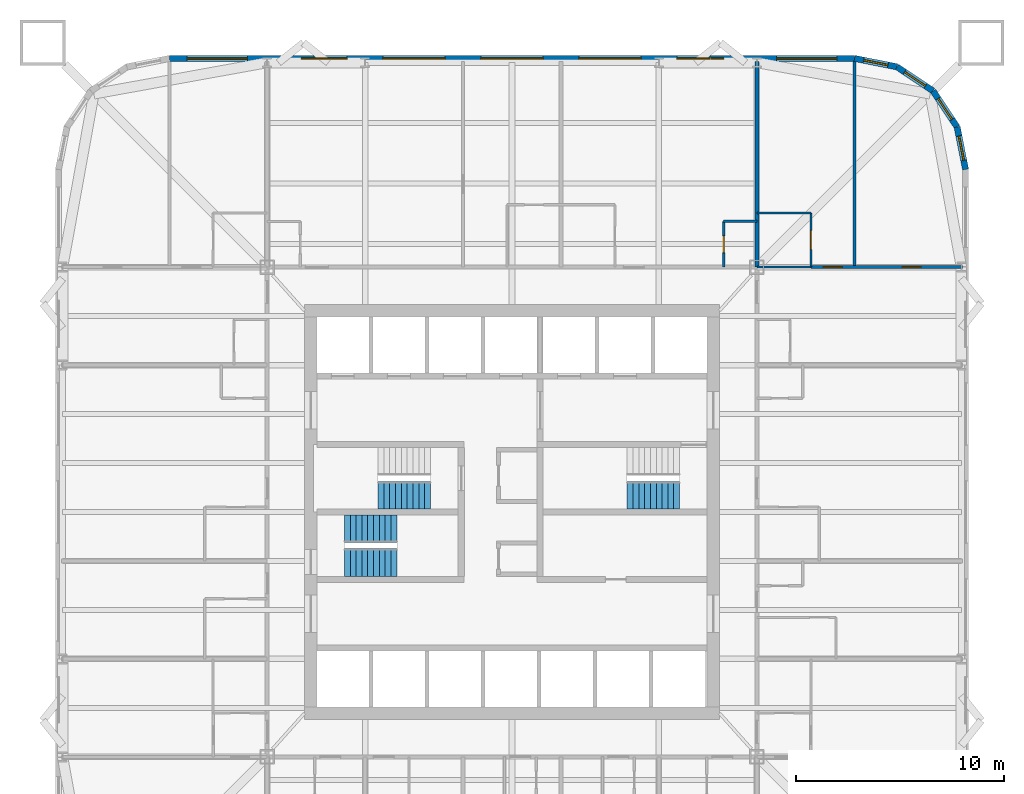
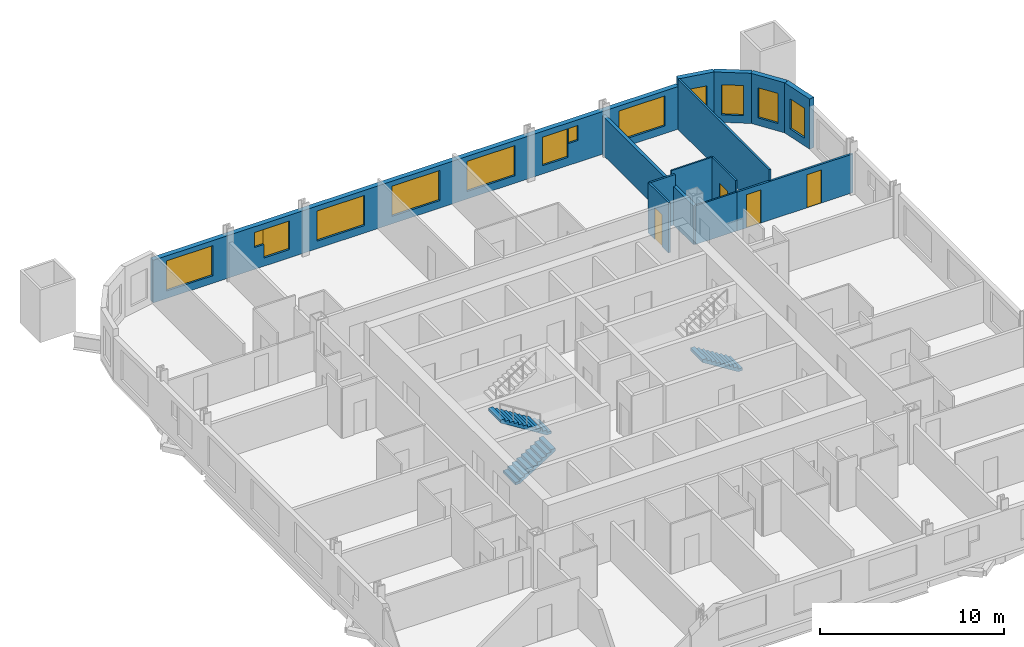
# One storey, part 8 of 10: 13 walls, 13 windows, 4 doors, 4 stair flights, 17 openings, 3 elements without a shape of their own.
"""IFC4 building model written with IfcOpenShell, lengths in metres."""

from ifc_helpers import new_model, si_unit, direction, frame, frame_2d, origin, place, context, subcontext, project, spatial, polyline, rectangle, outline, extrude, material, layer, layer_set, type_object, element, fill, aggregate, save


model = new_model("IFC4")

# Units and contexts
model_context = context("Model", 3, precision=1e-05, world=origin(), true_north=direction((0.0, 1.0)))
body_context = subcontext(model_context, "Body", "Model", "MODEL_VIEW")
ifc_project = project(units=[si_unit("LENGTHUNIT", "METRE"), si_unit("AREAUNIT", "SQUARE_METRE"), si_unit("VOLUMEUNIT", "CUBIC_METRE"), si_unit("PLANEANGLEUNIT", "RADIAN"), si_unit("MASSUNIT", "GRAM", prefix="KILO")], contexts=[model_context])

# Site, building, storey
site_placement = place(None, origin())
site = spatial("IfcSite", under=ifc_project, at=site_placement, CompositionType="ELEMENT")
building_placement = place(site_placement, origin())
building = spatial("IfcBuilding", under=site, at=building_placement, Name="Turquesa Mirador Hotel Tower", CompositionType="ELEMENT")
storey_placement = place(building_placement, frame((0.0, 0.0, 70.5)))
storey = spatial("IfcBuildingStorey", under=building, at=storey_placement, Name="L18", CompositionType="ELEMENT", Elevation=70.5)

# Walls
ifc_material_1 = material(Name="Gypsum board on steel studs", Category="steel")
ifc_layer_1 = layer(ifc_material_1, 0.10009765625)
ifc_layer_set_1 = layer_set([ifc_layer_1], Name="BATHROOM WALL 100")
wall_type_1 = type_object("IfcWallType", Name="BATHROOM WALL 100", PredefinedType="PARTITIONING", material=ifc_layer_set_1)
wall_1_placement = place(storey_placement, frame((66.800048828125, 56.800048828125, 0.0), z_axis=(0.0, 0.0, 1.0), x_axis=(1.0, 0.0, 0.0)))
element("IfcWall", 1, at=wall_1_placement, inside=storey, type_object=wall_type_1, Name="Partition L18 025", PredefinedType="PARTITIONING", context=body_context, shape_type="SweptSolid", body=[
    extrude(rectangle(XDim=2.599853515625, YDim=0.10009765625, at=frame_2d((1.2998046875, 0.0))), origin(), (0.0, 0.0, 1.0), 2.572998046875),
])
wall_2_placement = place(storey_placement, frame((66.800048828125, 59.39990234375, 0.0), z_axis=(0.0, 0.0, 1.0), x_axis=(1.0, 0.0, 0.0)))
element("IfcWall", 2, at=wall_2_placement, inside=storey, type_object=wall_type_1, Name="Partition L18 032", PredefinedType="PARTITIONING", context=body_context, shape_type="SweptSolid", body=[
    extrude(rectangle(XDim=2.599853515625, YDim=0.10009765625, at=frame_2d((1.2998046875, 0.0))), origin(), (0.0, 0.0, 1.0), 3.330078125),
])

# Wall, opening, door
wall_3_placement = place(storey_placement, frame((69.39990234375, 56.800048828125, 0.0), z_axis=(0.0, 0.0, 1.0), x_axis=(0.0, 1.0, 0.0)))
wall_3 = element("IfcWall", 3, at=wall_3_placement, inside=storey, type_object=wall_type_1, Name="Partition L18 068", PredefinedType="PARTITIONING", context=body_context, shape_type="SweptSolid", body=[
    extrude(rectangle(XDim=2.599853515625, YDim=0.10009765625, at=frame_2d((1.2998046875, 0.0))), origin(), (0.0, 0.0, 1.0), 3.330078125),
])
opening_1_placement = place(wall_3_placement, frame((0.85009765625, 0.0, 0.0)))
opening_1 = element("IfcOpeningElement", 4, at=opening_1_placement, cuts=wall_3, Name="Opening D02", PredefinedType="OPENING", context=body_context, shape_type="SweptSolid", body=[
    extrude(rectangle(XDim=0.89990234375, YDim=2.10009765625, at=frame_2d((0.449951171875, 1.050048828125))), frame((0.0, 0.06005859375, 0.0), z_axis=(0.0, -1.0, 0.0), x_axis=(1.0, 0.0, 0.0)), (0.0, 0.0, 1.0), 0.1201171875),
])
ifc_material_2 = material(Name="Timber veneered door", Category="wood")
door_type_1 = type_object("IfcDoorType", Name="DOOR 900X2100 EN-SUITE", OperationType="SINGLE_SWING_RIGHT", PredefinedType="DOOR", material=ifc_material_2)
door_1_placement = place(opening_1_placement, origin())
door_1 = element("IfcDoor", 5, at=door_1_placement, inside=storey, type_object=door_type_1, Name="Door 1812B", OperationType="SINGLE_SWING_RIGHT", OverallHeight=2.10009765625, OverallWidth=0.89990234375, PredefinedType="DOOR", context=body_context, shape_type="SweptSolid", body=[
    extrude(rectangle(XDim=0.89990234375, YDim=2.10009765625, at=frame_2d((0.449951171875, 1.050048828125))), frame((0.0, 0.02490234375, 0.0), z_axis=(0.0, -1.0, 0.0), x_axis=(1.0, 0.0, 0.0)), (0.0, 0.0, 1.0), 0.050048828125),
])
fill(opening_1, door_1)

# Wall, opening, window
ifc_material_3 = material(Name="Limestone cladding on concrete block", Category="masonry")
ifc_layer_2 = layer(ifc_material_3, 0.300048828125)
ifc_layer_set_2 = layer_set([ifc_layer_2], Name="FACADE WALL 300 STONE SCREEN")
wall_type_2 = type_object("IfcWallType", Name="FACADE WALL 300 STONE SCREEN", PredefinedType="SOLIDWALL", material=ifc_layer_set_2)
wall_4_placement = place(storey_placement, frame((76.85009765625, 61.5, 0.0), z_axis=(0.0, 0.0, 1.0), x_axis=(-0.195081421501, 0.980787050784, 0.0)))
wall_4 = element("IfcWall", 6, at=wall_4_placement, inside=storey, type_object=wall_type_2, Name="Facade wall L18 05", PredefinedType="SOLIDWALL", context=body_context, shape_type="SweptSolid", body=[
    extrude(rectangle(XDim=2.08740234375, YDim=0.300048828125, at=frame_2d((1.043701171875, 0.0))), origin(), (0.0, 0.0, 1.0), 3.330078125),
])
opening_2_placement = place(wall_4_placement, frame((0.443603515625, 0.0, 0.5)))
opening_2 = element("IfcOpeningElement", 7, at=opening_2_placement, cuts=wall_4, Name="Opening WN4", PredefinedType="OPENING", context=body_context, shape_type="SweptSolid", body=[
    extrude(rectangle(XDim=1.199951171875, YDim=2.0, at=frame_2d((0.60009765625, 1.0))), frame((0.0, 0.159912109375, 0.0), z_axis=(0.0, -1.0, 0.0), x_axis=(1.0, 0.0, 0.0)), (0.0, 0.0, 1.0), 0.320068359375),
])
ifc_material_4 = material(Name="Ceramic-fritted laminated glass", Category="glass")
window_type_1 = type_object("IfcWindowType", Name="FRITTED CORNER WINDOW 1200X2000", PartitioningType="DOUBLE_PANEL_HORIZONTAL", PredefinedType="WINDOW", material=ifc_material_4)
window_1_placement = place(opening_2_placement, origin())
window_1 = element("IfcWindow", 8, at=window_1_placement, inside=storey, type_object=window_type_1, Name="Window L18", OverallHeight=2.0, OverallWidth=1.199951171875, PartitioningType="SINGLE_PANEL", PredefinedType="WINDOW", context=body_context, shape_type="SweptSolid", body=[
    extrude(rectangle(XDim=1.199951171875, YDim=2.0, at=frame_2d((0.60009765625, 1.0))), frame((0.0, 0.030029296875, 0.0), z_axis=(0.0, -1.0, 0.0), x_axis=(1.0, 0.0, 0.0)), (0.0, 0.0, 1.0), 0.06005859375),
])
fill(opening_2, window_1)

wall_5_placement = place(storey_placement, frame((76.44287109375, 63.54736328125, 0.0), z_axis=(0.0, 0.0, 1.0), x_axis=(-0.555644460423, 0.831420010345, 0.0)))
wall_5 = element("IfcWall", 9, at=wall_5_placement, inside=storey, type_object=wall_type_2, Name="Facade wall L18 06", PredefinedType="SOLIDWALL", context=body_context, shape_type="SweptSolid", body=[
    extrude(rectangle(XDim=2.08740234375, YDim=0.300048828125, at=frame_2d((1.043701171875, 0.0))), origin(), (0.0, 0.0, 1.0), 3.330078125),
])
opening_3_placement = place(wall_5_placement, frame((0.443603515625, 0.0, 0.5)))
opening_3 = element("IfcOpeningElement", 10, at=opening_3_placement, cuts=wall_5, Name="Opening WN4", PredefinedType="OPENING", context=body_context, shape_type="SweptSolid", body=[
    extrude(rectangle(XDim=1.199951171875, YDim=2.0, at=frame_2d((0.60009765625, 1.0))), frame((0.0, 0.159912109375, 0.0), z_axis=(0.0, -1.0, 0.0), x_axis=(1.0, 0.0, 0.0)), (0.0, 0.0, 1.0), 0.320068359375),
])
window_2_placement = place(opening_3_placement, origin())
window_2 = element("IfcWindow", 11, at=window_2_placement, inside=storey, type_object=window_type_1, Name="Window L18", OverallHeight=2.0, OverallWidth=1.199951171875, PartitioningType="SINGLE_PANEL", PredefinedType="WINDOW", context=body_context, shape_type="SweptSolid", body=[
    extrude(rectangle(XDim=1.199951171875, YDim=2.0, at=frame_2d((0.60009765625, 1.0))), frame((0.0, 0.030029296875, 0.0), z_axis=(0.0, -1.0, 0.0), x_axis=(1.0, 0.0, 0.0)), (0.0, 0.0, 1.0), 0.06005859375),
])
fill(opening_3, window_2)

wall_6_placement = place(storey_placement, frame((75.282958984375, 65.282958984375, 0.0), z_axis=(0.0, 0.0, 1.0), x_axis=(-0.831420010345, 0.555644460423, 0.0)))
wall_6 = element("IfcWall", 12, at=wall_6_placement, inside=storey, type_object=wall_type_2, Name="Facade wall L18 07", PredefinedType="SOLIDWALL", context=body_context, shape_type="SweptSolid", body=[
    extrude(rectangle(XDim=2.08740234375, YDim=0.300048828125, at=frame_2d((1.043701171875, 0.0))), origin(), (0.0, 0.0, 1.0), 3.330078125),
])
opening_4_placement = place(wall_6_placement, frame((0.443603515625, 0.0, 0.5)))
opening_4 = element("IfcOpeningElement", 13, at=opening_4_placement, cuts=wall_6, Name="Opening WN4", PredefinedType="OPENING", context=body_context, shape_type="SweptSolid", body=[
    extrude(rectangle(XDim=1.199951171875, YDim=2.0, at=frame_2d((0.60009765625, 1.0))), frame((0.0, 0.159912109375, 0.0), z_axis=(0.0, -1.0, 0.0), x_axis=(1.0, 0.0, 0.0)), (0.0, 0.0, 1.0), 0.320068359375),
])
window_3_placement = place(opening_4_placement, origin())
window_3 = element("IfcWindow", 14, at=window_3_placement, inside=storey, type_object=window_type_1, Name="Window L18", OverallHeight=2.0, OverallWidth=1.199951171875, PartitioningType="SINGLE_PANEL", PredefinedType="WINDOW", context=body_context, shape_type="SweptSolid", body=[
    extrude(rectangle(XDim=1.199951171875, YDim=2.0, at=frame_2d((0.60009765625, 1.0))), frame((0.0, 0.030029296875, 0.0), z_axis=(0.0, -1.0, 0.0), x_axis=(1.0, 0.0, 0.0)), (0.0, 0.0, 1.0), 0.06005859375),
])
fill(opening_4, window_3)

wall_7_placement = place(storey_placement, frame((73.54736328125, 66.44287109375, 0.0), z_axis=(0.0, 0.0, 1.0), x_axis=(-0.980787050784, 0.195081421501, 0.0)))
wall_7 = element("IfcWall", 15, at=wall_7_placement, inside=storey, type_object=wall_type_2, Name="Facade wall L18 08", PredefinedType="SOLIDWALL", context=body_context, shape_type="SweptSolid", body=[
    extrude(rectangle(XDim=2.08740234375, YDim=0.300048828125, at=frame_2d((1.043701171875, 0.0))), origin(), (0.0, 0.0, 1.0), 3.330078125),
])
opening_5_placement = place(wall_7_placement, frame((0.443603515625, 0.0, 0.5)))
opening_5 = element("IfcOpeningElement", 16, at=opening_5_placement, cuts=wall_7, Name="Opening WN4", PredefinedType="OPENING", context=body_context, shape_type="SweptSolid", body=[
    extrude(rectangle(XDim=1.199951171875, YDim=2.0, at=frame_2d((0.60009765625, 1.0))), frame((0.0, 0.159912109375, 0.0), z_axis=(0.0, -1.0, 0.0), x_axis=(1.0, 0.0, 0.0)), (0.0, 0.0, 1.0), 0.320068359375),
])
window_4_placement = place(opening_5_placement, origin())
window_4 = element("IfcWindow", 17, at=window_4_placement, inside=storey, type_object=window_type_1, Name="Window L18", OverallHeight=2.0, OverallWidth=1.199951171875, PartitioningType="SINGLE_PANEL", PredefinedType="WINDOW", context=body_context, shape_type="SweptSolid", body=[
    extrude(rectangle(XDim=1.199951171875, YDim=2.0, at=frame_2d((0.60009765625, 1.0))), frame((0.0, 0.030029296875, 0.0), z_axis=(0.0, -1.0, 0.0), x_axis=(1.0, 0.0, 0.0)), (0.0, 0.0, 1.0), 0.06005859375),
])
fill(opening_5, window_4)

# Wall, openings, windows
wall_8_placement = place(storey_placement, frame((71.5, 66.85009765625, 0.0), z_axis=(0.0, 0.0, 1.0), x_axis=(-1.0, 0.0, 0.0)))
wall_8 = element("IfcWall", 18, at=wall_8_placement, inside=storey, type_object=wall_type_2, Name="Facade wall L18 09", PredefinedType="SOLIDWALL", context=body_context, shape_type="SweptSolid", body=[
    extrude(rectangle(XDim=33.0, YDim=0.300048828125, at=frame_2d((16.5, 0.0))), origin(), (0.0, 0.0, 1.0), 2.830078125),
])
opening_6_placement = place(wall_8_placement, frame((0.85009765625, 0.0, 0.5)))
opening_6 = element("IfcOpeningElement", 19, at=opening_6_placement, cuts=wall_8, Name="Opening WN54", PredefinedType="OPENING", context=body_context, shape_type="SweptSolid", body=[
    extrude(rectangle(XDim=2.89990234375, YDim=2.0, at=frame_2d((1.449951171875, 1.0))), frame((0.0, 0.159912109375, 0.0), z_axis=(0.0, -1.0, 0.0), x_axis=(1.0, 0.0, 0.0)), (0.0, 0.0, 1.0), 0.320068359375),
])
opening_7_placement = place(wall_8_placement, frame((6.9599609375, 0.0, 0.550048828125)))
opening_7 = element("IfcOpeningElement", 20, at=opening_7_placement, cuts=wall_8, Name="Opening WN44", PredefinedType="OPENING", context=body_context, shape_type="SweptSolid", body=[
    extrude(rectangle(XDim=1.60009765625, YDim=1.89990234375, at=frame_2d((0.800048828125, 0.949951171875))), frame((0.0, 0.159912109375, 0.0), z_axis=(0.0, -1.0, 0.0), x_axis=(1.0, 0.0, 0.0)), (0.0, 0.0, 1.0), 0.320068359375),
])
opening_8_placement = place(wall_8_placement, frame((10.280029296875, 0.0, 0.5)))
opening_8 = element("IfcOpeningElement", 21, at=opening_8_placement, cuts=wall_8, Name="Opening WN1", PredefinedType="OPENING", context=body_context, shape_type="SweptSolid", body=[
    extrude(rectangle(XDim=3.0, YDim=2.0, at=frame_2d((1.5, 1.0))), frame((0.0, 0.159912109375, 0.0), z_axis=(0.0, -1.0, 0.0), x_axis=(1.0, 0.0, 0.0)), (0.0, 0.0, 1.0), 0.320068359375),
])
opening_9_placement = place(wall_8_placement, frame((15.0, 0.0, 0.5)))
opening_9 = element("IfcOpeningElement", 22, at=opening_9_placement, cuts=wall_8, Name="Opening WN1", PredefinedType="OPENING", context=body_context, shape_type="SweptSolid", body=[
    extrude(rectangle(XDim=3.0, YDim=2.0, at=frame_2d((1.5, 1.0))), frame((0.0, 0.159912109375, 0.0), z_axis=(0.0, -1.0, 0.0), x_axis=(1.0, 0.0, 0.0)), (0.0, 0.0, 1.0), 0.320068359375),
])
opening_10_placement = place(wall_8_placement, frame((19.719970703125, 0.0, 0.5)))
opening_10 = element("IfcOpeningElement", 23, at=opening_10_placement, cuts=wall_8, Name="Opening WN1", PredefinedType="OPENING", context=body_context, shape_type="SweptSolid", body=[
    extrude(rectangle(XDim=3.0, YDim=2.0, at=frame_2d((1.5, 1.0))), frame((0.0, 0.159912109375, 0.0), z_axis=(0.0, -1.0, 0.0), x_axis=(1.0, 0.0, 0.0)), (0.0, 0.0, 1.0), 0.320068359375),
])
opening_11_placement = place(wall_8_placement, frame((24.43994140625, 0.0, 0.550048828125)))
opening_11 = element("IfcOpeningElement", 24, at=opening_11_placement, cuts=wall_8, Name="Opening WN44", PredefinedType="OPENING", context=body_context, shape_type="SweptSolid", body=[
    extrude(rectangle(XDim=1.60009765625, YDim=1.89990234375, at=frame_2d((0.800048828125, 0.949951171875))), frame((0.0, 0.159912109375, 0.0), z_axis=(0.0, -1.0, 0.0), x_axis=(1.0, 0.0, 0.0)), (0.0, 0.0, 1.0), 0.320068359375),
])
opening_12_placement = place(wall_8_placement, frame((29.25, 0.0, 0.5)))
opening_12 = element("IfcOpeningElement", 25, at=opening_12_placement, cuts=wall_8, Name="Opening WN54", PredefinedType="OPENING", context=body_context, shape_type="SweptSolid", body=[
    extrude(rectangle(XDim=2.89990234375, YDim=2.0, at=frame_2d((1.449951171875, 1.0))), frame((0.0, 0.159912109375, 0.0), z_axis=(0.0, -1.0, 0.0), x_axis=(1.0, 0.0, 0.0)), (0.0, 0.0, 1.0), 0.320068359375),
])
opening_13_placement = place(wall_8_placement, frame((6.31005859375, 0.0, 1.449951171875)))
opening_13 = element("IfcOpeningElement", 26, at=opening_13_placement, cuts=wall_8, Name="Opening WN29", PredefinedType="OPENING", context=body_context, shape_type="SweptSolid", body=[
    extrude(rectangle(XDim=0.60009765625, YDim=1.0, at=frame_2d((0.300048828125, 0.5))), frame((0.0, 0.159912109375, 0.0), z_axis=(0.0, -1.0, 0.0), x_axis=(1.0, 0.0, 0.0)), (0.0, 0.0, 1.0), 0.320068359375),
])
opening_14_placement = place(wall_8_placement, frame((26.0400390625, 0.0, 1.449951171875)))
opening_14 = element("IfcOpeningElement", 27, at=opening_14_placement, cuts=wall_8, Name="Opening WN29", PredefinedType="OPENING", context=body_context, shape_type="SweptSolid", body=[
    extrude(rectangle(XDim=0.60009765625, YDim=1.0, at=frame_2d((0.300048828125, 0.5))), frame((0.0, 0.159912109375, 0.0), z_axis=(0.0, -1.0, 0.0), x_axis=(1.0, 0.0, 0.0)), (0.0, 0.0, 1.0), 0.320068359375),
])
ifc_material_5 = material(Name="Ceramic-fritted laminated glass", Category="glass")
window_type_2 = type_object("IfcWindowType", Name="FRITTED WINDOW 1600X1900", PartitioningType="DOUBLE_PANEL_HORIZONTAL", PredefinedType="WINDOW", material=ifc_material_5)
window_5_placement = place(opening_7_placement, origin())
window_5 = element("IfcWindow", 28, at=window_5_placement, inside=storey, type_object=window_type_2, Name="Window L18", OverallHeight=1.89990234375, OverallWidth=1.60009765625, PartitioningType="SINGLE_PANEL", PredefinedType="WINDOW", context=body_context, shape_type="SweptSolid", body=[
    extrude(rectangle(XDim=1.60009765625, YDim=1.89990234375, at=frame_2d((0.800048828125, 0.949951171875))), frame((0.0, 0.030029296875, 0.0), z_axis=(0.0, -1.0, 0.0), x_axis=(1.0, 0.0, 0.0)), (0.0, 0.0, 1.0), 0.06005859375),
])
fill(opening_7, window_5)
window_6_placement = place(opening_11_placement, origin())
window_6 = element("IfcWindow", 29, at=window_6_placement, inside=storey, type_object=window_type_2, Name="Window L18", OverallHeight=1.89990234375, OverallWidth=1.60009765625, PartitioningType="SINGLE_PANEL", PredefinedType="WINDOW", context=body_context, shape_type="SweptSolid", body=[
    extrude(rectangle(XDim=1.60009765625, YDim=1.89990234375, at=frame_2d((0.800048828125, 0.949951171875))), frame((0.0, 0.030029296875, 0.0), z_axis=(0.0, -1.0, 0.0), x_axis=(1.0, 0.0, 0.0)), (0.0, 0.0, 1.0), 0.06005859375),
])
fill(opening_11, window_6)
ifc_material_6 = material(Name="Ceramic-fritted laminated glass", Category="glass")
window_type_3 = type_object("IfcWindowType", Name="FRITTED WINDOW 2900X2000", PartitioningType="DOUBLE_PANEL_HORIZONTAL", PredefinedType="WINDOW", material=ifc_material_6)
window_7_placement = place(opening_6_placement, origin())
window_7 = element("IfcWindow", 30, at=window_7_placement, inside=storey, type_object=window_type_3, Name="Window L18", OverallHeight=2.0, OverallWidth=2.89990234375, PartitioningType="SINGLE_PANEL", PredefinedType="WINDOW", context=body_context, shape_type="SweptSolid", body=[
    extrude(rectangle(XDim=2.89990234375, YDim=2.0, at=frame_2d((1.449951171875, 1.0))), frame((0.0, 0.030029296875, 0.0), z_axis=(0.0, -1.0, 0.0), x_axis=(1.0, 0.0, 0.0)), (0.0, 0.0, 1.0), 0.06005859375),
])
fill(opening_6, window_7)
window_8_placement = place(opening_12_placement, origin())
window_8 = element("IfcWindow", 31, at=window_8_placement, inside=storey, type_object=window_type_3, Name="Window L18", OverallHeight=2.0, OverallWidth=2.89990234375, PartitioningType="SINGLE_PANEL", PredefinedType="WINDOW", context=body_context, shape_type="SweptSolid", body=[
    extrude(rectangle(XDim=2.89990234375, YDim=2.0, at=frame_2d((1.449951171875, 1.0))), frame((0.0, 0.030029296875, 0.0), z_axis=(0.0, -1.0, 0.0), x_axis=(1.0, 0.0, 0.0)), (0.0, 0.0, 1.0), 0.06005859375),
])
fill(opening_12, window_8)
ifc_material_7 = material(Name="Ceramic-fritted laminated glass", Category="glass")
window_type_4 = type_object("IfcWindowType", Name="FRITTED WINDOW 3000X2000", PartitioningType="DOUBLE_PANEL_HORIZONTAL", PredefinedType="WINDOW", material=ifc_material_7)
window_9_placement = place(opening_8_placement, origin())
window_9 = element("IfcWindow", 32, at=window_9_placement, inside=storey, type_object=window_type_4, Name="Window L18", OverallHeight=2.0, OverallWidth=3.0, PartitioningType="SINGLE_PANEL", PredefinedType="WINDOW", context=body_context, shape_type="SweptSolid", body=[
    extrude(rectangle(XDim=3.0, YDim=2.0, at=frame_2d((1.5, 1.0))), frame((0.0, 0.030029296875, 0.0), z_axis=(0.0, -1.0, 0.0), x_axis=(1.0, 0.0, 0.0)), (0.0, 0.0, 1.0), 0.06005859375),
])
fill(opening_8, window_9)
window_10_placement = place(opening_9_placement, origin())
window_10 = element("IfcWindow", 33, at=window_10_placement, inside=storey, type_object=window_type_4, Name="Window L18", OverallHeight=2.0, OverallWidth=3.0, PartitioningType="SINGLE_PANEL", PredefinedType="WINDOW", context=body_context, shape_type="SweptSolid", body=[
    extrude(rectangle(XDim=3.0, YDim=2.0, at=frame_2d((1.5, 1.0))), frame((0.0, 0.030029296875, 0.0), z_axis=(0.0, -1.0, 0.0), x_axis=(1.0, 0.0, 0.0)), (0.0, 0.0, 1.0), 0.06005859375),
])
fill(opening_9, window_10)
window_11_placement = place(opening_10_placement, origin())
window_11 = element("IfcWindow", 34, at=window_11_placement, inside=storey, type_object=window_type_4, Name="Window L18", OverallHeight=2.0, OverallWidth=3.0, PartitioningType="SINGLE_PANEL", PredefinedType="WINDOW", context=body_context, shape_type="SweptSolid", body=[
    extrude(rectangle(XDim=3.0, YDim=2.0, at=frame_2d((1.5, 1.0))), frame((0.0, 0.030029296875, 0.0), z_axis=(0.0, -1.0, 0.0), x_axis=(1.0, 0.0, 0.0)), (0.0, 0.0, 1.0), 0.06005859375),
])
fill(opening_10, window_11)
ifc_material_8 = material(Name="Ceramic-fritted laminated glass", Category="glass")
window_type_5 = type_object("IfcWindowType", Name="FRITTED WINDOW 600X1000", PartitioningType="DOUBLE_PANEL_HORIZONTAL", PredefinedType="WINDOW", material=ifc_material_8)
window_12_placement = place(opening_13_placement, origin())
window_12 = element("IfcWindow", 35, at=window_12_placement, inside=storey, type_object=window_type_5, Name="Window L18", OverallHeight=1.0, OverallWidth=0.60009765625, PartitioningType="SINGLE_PANEL", PredefinedType="WINDOW", context=body_context, shape_type="SweptSolid", body=[
    extrude(rectangle(XDim=0.60009765625, YDim=1.0, at=frame_2d((0.300048828125, 0.5))), frame((0.0, 0.030029296875, 0.0), z_axis=(0.0, -1.0, 0.0), x_axis=(1.0, 0.0, 0.0)), (0.0, 0.0, 1.0), 0.06005859375),
])
fill(opening_13, window_12)
window_13_placement = place(opening_14_placement, origin())
window_13 = element("IfcWindow", 36, at=window_13_placement, inside=storey, type_object=window_type_5, Name="Window L18", OverallHeight=1.0, OverallWidth=0.60009765625, PartitioningType="SINGLE_PANEL", PredefinedType="WINDOW", context=body_context, shape_type="SweptSolid", body=[
    extrude(rectangle(XDim=0.60009765625, YDim=1.0, at=frame_2d((0.300048828125, 0.5))), frame((0.0, 0.030029296875, 0.0), z_axis=(0.0, -1.0, 0.0), x_axis=(1.0, 0.0, 0.0)), (0.0, 0.0, 1.0), 0.06005859375),
])
fill(opening_14, window_13)

# Wall
ifc_material_9 = material(Name="Fire-rated gypsum board on steel studs", Category="steel")
ifc_layer_3 = layer(ifc_material_9, 0.199951171875)
ifc_layer_set_3 = layer_set([ifc_layer_3], Name="PARTY WALL 200")
wall_type_3 = type_object("IfcWallType", Name="PARTY WALL 200", PredefinedType="PARTITIONING", material=ifc_layer_set_3)
wall_9_placement = place(storey_placement, frame((66.800048828125, 56.800048828125, 0.0), z_axis=(0.0, 0.0, 1.0), x_axis=(0.0, 1.0, 0.0)))
element("IfcWall", 37, at=wall_9_placement, inside=storey, type_object=wall_type_3, Name="Partition L18 063", PredefinedType="PARTITIONING", context=body_context, shape_type="SweptSolid", body=[
    extrude(rectangle(XDim=9.89990234375, YDim=0.199951171875, at=frame_2d((4.949951171875, 0.0))), origin(), (0.0, 0.0, 1.0), 2.572998046875),
])

# Wall, openings, doors
ifc_material_10 = material(Name="Acoustic gypsum board on steel studs", Category="steel")
ifc_layer_4 = layer(ifc_material_10, 0.125)
ifc_layer_set_4 = layer_set([ifc_layer_4], Name="SUITE PARTITION 125")
wall_type_4 = type_object("IfcWallType", Name="SUITE PARTITION 125", PredefinedType="PARTITIONING", material=ifc_layer_set_4)
wall_10_placement = place(storey_placement, frame((69.39990234375, 56.800048828125, 0.0), z_axis=(0.0, 0.0, 1.0), x_axis=(1.0, 0.0, 0.0)))
wall_10 = element("IfcWall", 38, at=wall_10_placement, inside=storey, type_object=wall_type_4, Name="Partition L18 028", PredefinedType="PARTITIONING", context=body_context, shape_type="SweptSolid", body=[
    extrude(rectangle(XDim=7.300048828125, YDim=0.125, at=frame_2d((3.64990234375, 0.0))), origin(), (0.0, 0.0, 1.0), 2.572998046875),
])
opening_15_placement = place(wall_10_placement, frame((0.60009765625, 0.0, 0.0)))
opening_15 = element("IfcOpeningElement", 39, at=opening_15_placement, cuts=wall_10, Name="Opening D17", PredefinedType="OPENING", context=body_context, shape_type="SweptSolid", body=[
    extrude(rectangle(XDim=0.89990234375, YDim=2.199951171875, at=frame_2d((0.449951171875, 1.10009765625))), frame((0.0, 0.072509765625, 0.0), z_axis=(0.0, -1.0, 0.0), x_axis=(1.0, 0.0, 0.0)), (0.0, 0.0, 1.0), 0.14501953125),
])
opening_16_placement = place(wall_10_placement, frame((4.39990234375, 0.0, 0.0)))
opening_16 = element("IfcOpeningElement", 40, at=opening_16_placement, cuts=wall_10, Name="Opening D17", PredefinedType="OPENING", context=body_context, shape_type="SweptSolid", body=[
    extrude(rectangle(XDim=0.89990234375, YDim=2.199951171875, at=frame_2d((0.449951171875, 1.10009765625))), frame((0.0, 0.072509765625, 0.0), z_axis=(0.0, -1.0, 0.0), x_axis=(1.0, 0.0, 0.0)), (0.0, 0.0, 1.0), 0.14501953125),
])
ifc_material_11 = material(Name="Timber veneered door", Category="wood")
door_type_2 = type_object("IfcDoorType", Name="DOOR 900X2200 SUITE INTERNAL", OperationType="SINGLE_SWING_LEFT", PredefinedType="DOOR", material=ifc_material_11)
door_2_placement = place(opening_15_placement, origin())
door_2 = element("IfcDoor", 41, at=door_2_placement, inside=storey, type_object=door_type_2, Name="Door 1812R", OperationType="SINGLE_SWING_LEFT", OverallHeight=2.199951171875, OverallWidth=0.89990234375, PredefinedType="DOOR", context=body_context, shape_type="SweptSolid", body=[
    extrude(rectangle(XDim=0.89990234375, YDim=2.199951171875, at=frame_2d((0.449951171875, 1.10009765625))), frame((0.0, 0.02490234375, 0.0), z_axis=(0.0, -1.0, 0.0), x_axis=(1.0, 0.0, 0.0)), (0.0, 0.0, 1.0), 0.050048828125),
])
fill(opening_15, door_2)
door_3_placement = place(opening_16_placement, origin())
door_3 = element("IfcDoor", 42, at=door_3_placement, inside=storey, type_object=door_type_2, Name="Door 1812S", OperationType="SINGLE_SWING_LEFT", OverallHeight=2.199951171875, OverallWidth=0.89990234375, PredefinedType="DOOR", context=body_context, shape_type="SweptSolid", body=[
    extrude(rectangle(XDim=0.89990234375, YDim=2.199951171875, at=frame_2d((0.449951171875, 1.10009765625))), frame((0.0, 0.02490234375, 0.0), z_axis=(0.0, -1.0, 0.0), x_axis=(1.0, 0.0, 0.0)), (0.0, 0.0, 1.0), 0.050048828125),
])
fill(opening_16, door_3)

# Wall
wall_11_placement = place(storey_placement, frame((65.199951171875, 59.0, 0.0), z_axis=(0.0, 0.0, 1.0), x_axis=(1.0, 0.0, 0.0)))
element("IfcWall", 43, at=wall_11_placement, inside=storey, type_object=wall_type_4, Name="Partition L18 030", PredefinedType="PARTITIONING", context=body_context, shape_type="SweptSolid", body=[
    extrude(rectangle(XDim=1.60009765625, YDim=0.125, at=frame_2d((0.800048828125, 0.0))), origin(), (0.0, 0.0, 1.0), 3.330078125),
])

# Wall, opening, door
wall_12_placement = place(storey_placement, frame((65.199951171875, 56.800048828125, 0.0), z_axis=(0.0, 0.0, 1.0), x_axis=(0.0, 1.0, 0.0)))
wall_12 = element("IfcWall", 44, at=wall_12_placement, inside=storey, type_object=wall_type_4, Name="Partition L18 060", PredefinedType="PARTITIONING", context=body_context, shape_type="SweptSolid", body=[
    extrude(rectangle(XDim=2.199951171875, YDim=0.125, at=frame_2d((1.10009765625, 0.0))), origin(), (0.0, 0.0, 1.0), 3.330078125),
])
opening_17_placement = place(wall_12_placement, frame((0.699951171875, 0.0, 0.0)))
opening_17 = element("IfcOpeningElement", 45, at=opening_17_placement, cuts=wall_12, Name="Opening D20", PredefinedType="OPENING", context=body_context, shape_type="SweptSolid", body=[
    extrude(rectangle(XDim=0.800048828125, YDim=2.10009765625, at=frame_2d((0.39990234375, 1.050048828125))), frame((0.0, 0.072509765625, 0.0), z_axis=(0.0, -1.0, 0.0), x_axis=(1.0, 0.0, 0.0)), (0.0, 0.0, 1.0), 0.14501953125),
])
ifc_material_12 = material(Name="Timber veneered sliding door", Category="wood")
door_type_3 = type_object("IfcDoorType", Name="DOOR 800X2100 WARDROBE", OperationType="SLIDING_TO_LEFT", PredefinedType="DOOR", material=ifc_material_12)
door_4_placement = place(opening_17_placement, origin())
door_4 = element("IfcDoor", 46, at=door_4_placement, inside=storey, type_object=door_type_3, Name="Door 1802W", OperationType="SLIDING_TO_LEFT", OverallHeight=2.10009765625, OverallWidth=0.800048828125, PredefinedType="DOOR", context=body_context, shape_type="SweptSolid", body=[
    extrude(rectangle(XDim=0.800048828125, YDim=2.10009765625, at=frame_2d((0.39990234375, 1.050048828125))), frame((0.0, 0.02490234375, 0.0), z_axis=(0.0, -1.0, 0.0), x_axis=(1.0, 0.0, 0.0)), (0.0, 0.0, 1.0), 0.050048828125),
])
fill(opening_17, door_4)

# Wall
wall_13_placement = place(storey_placement, frame((71.5, 56.800048828125, 0.0), z_axis=(0.0, 0.0, 1.0), x_axis=(0.0, 1.0, 0.0)))
element("IfcWall", 47, at=wall_13_placement, inside=storey, type_object=wall_type_4, Name="Partition L18 072", PredefinedType="PARTITIONING", context=body_context, shape_type="SweptSolid", body=[
    extrude(rectangle(XDim=9.89404296875, YDim=0.125, at=frame_2d((4.947021484375, 0.0))), origin(), (0.0, 0.0, 1.0), 3.330078125),
])

# Stair, stair flight
ifc_material_13 = material(Name="Concrete C35/45", Category="concrete")
stair_type = type_object("IfcStairType", Name="ESCAPE STAIR CORE", PredefinedType="HALF_TURN_STAIR", material=ifc_material_13)
stair_1_placement = place(storey_placement, origin())
stair_1 = element("IfcStair", 48, at=stair_1_placement, inside=storey, type_object=stair_type, Name="Stair ST1 L18 to L19", PredefinedType="HALF_TURN_STAIR")
ifc_material_14 = material(Name="Concrete C35/45 precast flight", Category="concrete")
stair_flight_type = type_object("IfcStairFlightType", Name="STAIR FLIGHT 1330", PredefinedType="STRAIGHT", material=ifc_material_14)
stair_flight_1_placement = place(storey_placement, frame((51.070068359375, 45.81494140625, 0.0), z_axis=(0.0, 0.0, 1.0), x_axis=(-1.0, 0.0, 0.0)))
stair_flight_1 = element("IfcStairFlight", 49, at=stair_flight_1_placement, type_object=stair_flight_type, Name="ST1 flight 1", NumberOfRisers=10, NumberOfTreads=9, PredefinedType="STRAIGHT", RiserHeight=0.175, TreadLength=0.28, context=body_context, shape_type="SweptSolid", body=[
    extrude(outline(polyline([(0.0, 0.0), (0.0, 0.175048828125), (0.280029296875, 0.175048828125), (0.280029296875, 0.35009765625), (0.56005859375, 0.35009765625), (0.56005859375, 0.52490234375), (0.840087890625, 0.52490234375), (0.840087890625, 0.699951171875), (1.1201171875, 0.699951171875), (1.1201171875, 0.875), (1.39990234375, 0.875), (1.39990234375, 1.050048828125), (1.679931640625, 1.050048828125), (1.679931640625, 1.22509765625), (1.9599609375, 1.22509765625), (1.9599609375, 1.39990234375), (2.239990234375, 1.39990234375), (2.239990234375, 1.574951171875), (2.52001953125, 1.574951171875), (2.52001953125, 1.75), (2.52001953125, 1.398193359375), (0.28271484375, 0.0), (0.0, 0.0)])), frame((0.0, 0.6650390625, 0.0), z_axis=(0.0, -1.0, 0.0), x_axis=(1.0, 0.0, 0.0)), (0.0, 0.0, 1.0), 1.330078125),
])
aggregate(stair_1, [stair_flight_1])

# Stair, stair flights
stair_2_placement = place(storey_placement, origin())
stair_2 = element("IfcStair", 50, at=stair_2_placement, inside=storey, type_object=stair_type, Name="Stair ST2 L18 to L19", PredefinedType="HALF_TURN_STAIR")
stair_flight_2_placement = place(storey_placement, frame((46.929931640625, 42.56494140625, 0.0), z_axis=(0.0, 0.0, 1.0), x_axis=(1.0, 0.0, 0.0)))
stair_flight_2 = element("IfcStairFlight", 51, at=stair_flight_2_placement, type_object=stair_flight_type, Name="ST2 flight 1", NumberOfRisers=10, NumberOfTreads=9, PredefinedType="STRAIGHT", RiserHeight=0.175, TreadLength=0.28, context=body_context, shape_type="SweptSolid", body=[
    extrude(outline(polyline([(0.0, 0.0), (0.0, 0.175048828125), (0.280029296875, 0.175048828125), (0.280029296875, 0.35009765625), (0.56005859375, 0.35009765625), (0.56005859375, 0.52490234375), (0.840087890625, 0.52490234375), (0.840087890625, 0.699951171875), (1.1201171875, 0.699951171875), (1.1201171875, 0.875), (1.39990234375, 0.875), (1.39990234375, 1.050048828125), (1.679931640625, 1.050048828125), (1.679931640625, 1.22509765625), (1.9599609375, 1.22509765625), (1.9599609375, 1.39990234375), (2.239990234375, 1.39990234375), (2.239990234375, 1.574951171875), (2.52001953125, 1.574951171875), (2.52001953125, 1.75), (2.52001953125, 1.398193359375), (0.28271484375, 0.0), (0.0, 0.0)])), frame((0.0, 0.6650390625, 0.0), z_axis=(0.0, -1.0, 0.0), x_axis=(1.0, 0.0, 0.0)), (0.0, 0.0, 1.0), 1.330078125),
])
stair_flight_3_placement = place(storey_placement, frame((49.449951171875, 44.18505859375, 1.75), z_axis=(0.0, 0.0, 1.0), x_axis=(-1.0, 0.0, 0.0)))
stair_flight_3 = element("IfcStairFlight", 52, at=stair_flight_3_placement, type_object=stair_flight_type, Name="ST2 flight 2", NumberOfRisers=10, NumberOfTreads=9, PredefinedType="STRAIGHT", RiserHeight=0.175, TreadLength=0.28, context=body_context, shape_type="SweptSolid", body=[
    extrude(outline(polyline([(0.0, 0.0), (0.0, 0.175048828125), (0.280029296875, 0.175048828125), (0.280029296875, 0.35009765625), (0.56005859375, 0.35009765625), (0.56005859375, 0.52490234375), (0.840087890625, 0.52490234375), (0.840087890625, 0.699951171875), (1.1201171875, 0.699951171875), (1.1201171875, 0.875), (1.39990234375, 0.875), (1.39990234375, 1.050048828125), (1.679931640625, 1.050048828125), (1.679931640625, 1.22509765625), (1.9599609375, 1.22509765625), (1.9599609375, 1.39990234375), (2.239990234375, 1.39990234375), (2.239990234375, 1.574951171875), (2.52001953125, 1.574951171875), (2.52001953125, 1.75), (2.52001953125, 1.398193359375), (0.28271484375, 0.0), (0.0, 0.0)])), frame((0.0, 0.6650390625, 0.0), z_axis=(0.0, -1.0, 0.0), x_axis=(1.0, 0.0, 0.0)), (0.0, 0.0, 1.0), 1.330078125),
])
aggregate(stair_2, [stair_flight_2, stair_flight_3])

# Stair, stair flight
stair_3_placement = place(storey_placement, origin())
stair_3 = element("IfcStair", 53, at=stair_3_placement, inside=storey, type_object=stair_type, Name="Stair ST3 L18 to L19", PredefinedType="HALF_TURN_STAIR")
stair_flight_4_placement = place(storey_placement, frame((63.070068359375, 45.81494140625, 0.0), z_axis=(0.0, 0.0, 1.0), x_axis=(-1.0, 0.0, 0.0)))
stair_flight_4 = element("IfcStairFlight", 54, at=stair_flight_4_placement, type_object=stair_flight_type, Name="ST3 flight 1", NumberOfRisers=10, NumberOfTreads=9, PredefinedType="STRAIGHT", RiserHeight=0.175, TreadLength=0.28, context=body_context, shape_type="SweptSolid", body=[
    extrude(outline(polyline([(0.0, 0.0), (0.0, 0.175048828125), (0.280029296875, 0.175048828125), (0.280029296875, 0.35009765625), (0.56005859375, 0.35009765625), (0.56005859375, 0.52490234375), (0.840087890625, 0.52490234375), (0.840087890625, 0.699951171875), (1.1201171875, 0.699951171875), (1.1201171875, 0.875), (1.39990234375, 0.875), (1.39990234375, 1.050048828125), (1.679931640625, 1.050048828125), (1.679931640625, 1.22509765625), (1.9599609375, 1.22509765625), (1.9599609375, 1.39990234375), (2.239990234375, 1.39990234375), (2.239990234375, 1.574951171875), (2.52001953125, 1.574951171875), (2.52001953125, 1.75), (2.52001953125, 1.398193359375), (0.28271484375, 0.0), (0.0, 0.0)])), frame((0.0, 0.6650390625, 0.0), z_axis=(0.0, -1.0, 0.0), x_axis=(1.0, 0.0, 0.0)), (0.0, 0.0, 1.0), 1.330078125),
])
aggregate(stair_3, [stair_flight_4])

save(model, "model.ifc")
